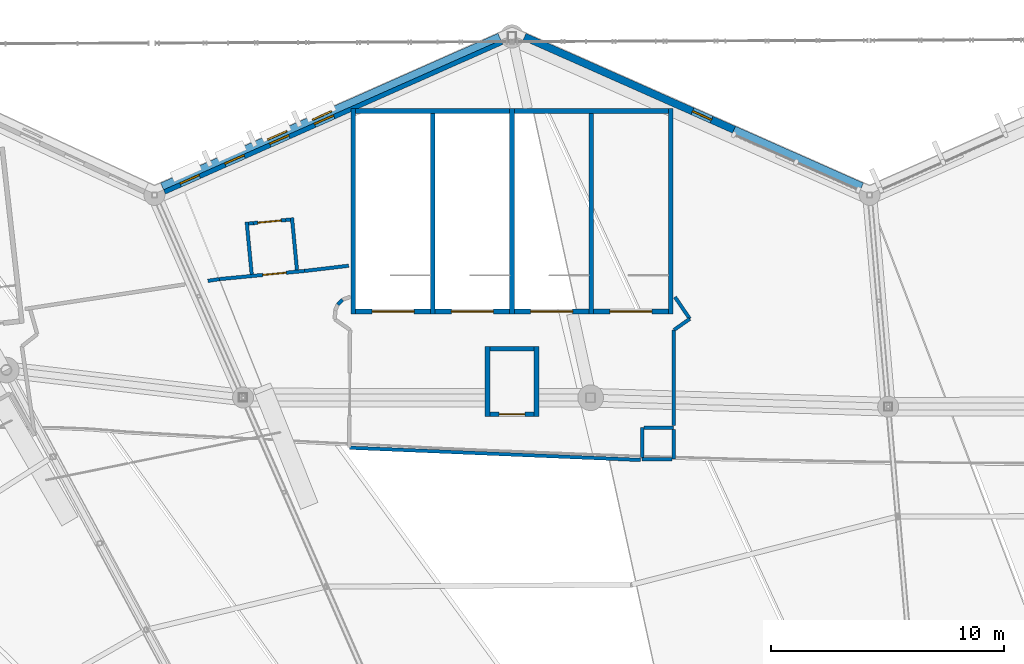
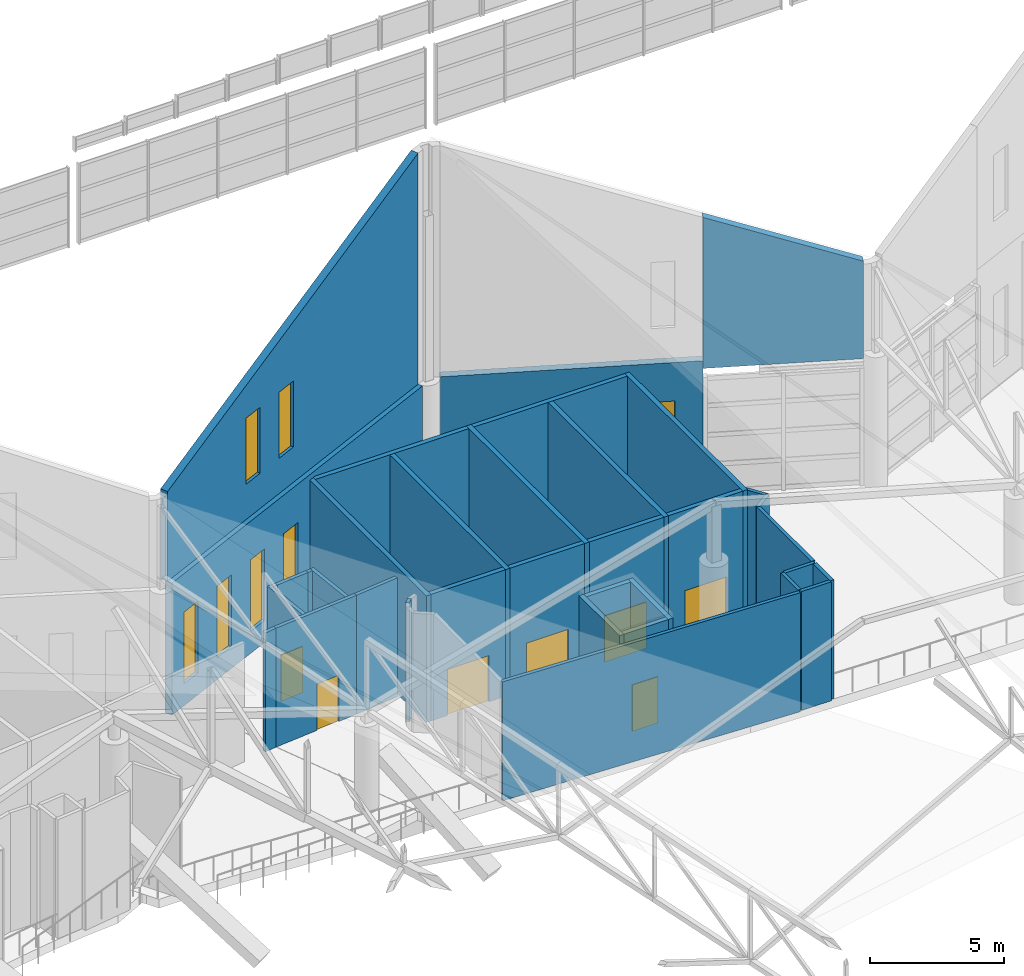
# One storey, part 266 of 344: 36 walls, 7 doors, 7 windows, 14 openings.
"""IFC4 building model written with IfcOpenShell, lengths in metres."""

from ifc_helpers import new_model, si_unit, direction, frame, frame_2d, origin, place, context, subcontext, project, spatial, polyline, rectangle, outline, extrude, material, layer, layer_set, type_object, element, fill, save


model = new_model("IFC4")

# Units and contexts
model_context = context("Model", 3, precision=1e-05, world=origin(), true_north=direction((0.0, 1.0)))
body_context = subcontext(model_context, "Body", "Model", "MODEL_VIEW")
ifc_project = project(units=[si_unit("LENGTHUNIT", "METRE"), si_unit("AREAUNIT", "SQUARE_METRE"), si_unit("VOLUMEUNIT", "CUBIC_METRE"), si_unit("PLANEANGLEUNIT", "RADIAN"), si_unit("MASSUNIT", "GRAM", prefix="KILO")], contexts=[model_context])

# Site, building, storey
site_placement = place(None, origin())
site = spatial("IfcSite", under=ifc_project, at=site_placement, CompositionType="ELEMENT")
building_placement = place(site_placement, origin())
building = spatial("IfcBuilding", under=site, at=building_placement, Name="Meseta Stadium", CompositionType="ELEMENT")
storey_placement = place(building_placement, frame((0.0, 0.0, 24.0)))
storey = spatial("IfcBuildingStorey", under=building, at=storey_placement, Name="L04", CompositionType="ELEMENT", Elevation=24.0)

# Walls
ifc_material_1 = material(Name="Concrete C40/50", Category="concrete")
ifc_layer_1 = layer(ifc_material_1, 0.199951171875)
ifc_layer_set_1 = layer_set([ifc_layer_1], Name="Core divider wall 200")
wall_type_1 = type_object("IfcWallType", Name="Core divider wall 200", PredefinedType="SHEAR", material=ifc_layer_set_1)
for number, where, z_axis, x_axis, name in (
    (1, (-19.60009765625, 102.300048828125, 0.0), (0.0, 0.0, 1.0), (0.0, -1.0, 0.0), "Core 11 L04 stair A divider wall"),
    (2, (-26.39990234375, 102.300048828125, 0.0), (0.0, 0.0, 1.0), (0.0, -1.0, 0.0), "Core 11 L04 stair B divider wall"),
):
    element("IfcWall", number, at=place(storey_placement, frame(where, z_axis=z_axis, x_axis=x_axis)), inside=storey, type_object=wall_type_1, Name=name, PredefinedType="SHEAR", context=body_context, shape_type="SweptSolid", body=[
        extrude(rectangle(XDim=8.800048828125, YDim=0.199951171875, at=frame_2d((4.39990234375, 0.0))), origin(), (0.0, 0.0, 1.0), 5.75),
    ])
ifc_material_2 = material(Name="Concrete C40/50", Category="concrete")
ifc_layer_2 = layer(ifc_material_2, 0.199951171875)
ifc_layer_set_2 = layer_set([ifc_layer_2], Name="Core shaft wall 200")
wall_type_2 = type_object("IfcWallType", Name="Core shaft wall 200", PredefinedType="SHEAR", material=ifc_layer_set_2)
for number, where, z_axis, x_axis, name in (
    (3, (-16.199951171875, 102.300048828125, 0.0), (0.0, 0.0, 1.0), (0.0, -1.0, 0.0), "Core 11 L04 stair wall A-side"),
    (4, (-23.0, 102.300048828125, 0.0), (0.0, 0.0, 1.0), (0.0, -1.0, 0.0), "Core 11 L04 stair wall shared"),
    (5, (-29.800048828125, 102.300048828125, 0.0), (0.0, 0.0, 1.0), (0.0, -1.0, 0.0), "Core 11 L04 stair wall B-side"),
):
    element("IfcWall", number, at=place(storey_placement, frame(where, z_axis=z_axis, x_axis=x_axis)), inside=storey, type_object=wall_type_2, Name=name, PredefinedType="SHEAR", context=body_context, shape_type="SweptSolid", body=[
        extrude(rectangle(XDim=8.800048828125, YDim=0.199951171875, at=frame_2d((4.39990234375, 0.0))), origin(), (0.0, 0.0, 1.0), 5.75),
    ])
for number, where, z_axis, x_axis, name in (
    (6, (-16.300048828125, 102.199951171875, 0.0), (0.0, 0.0, 1.0), (-1.0, 0.0, 0.0), "Core 11 L04 stair A outer end wall"),
    (7, (-23.10009765625, 102.199951171875, 0.0), (0.0, 0.0, 1.0), (-1.0, 0.0, 0.0), "Core 11 L04 stair B outer end wall"),
):
    element("IfcWall", number, at=place(storey_placement, frame(where, z_axis=z_axis, x_axis=x_axis)), inside=storey, type_object=wall_type_2, Name=name, PredefinedType="SHEAR", context=body_context, shape_type="SweptSolid", body=[
        extrude(rectangle(XDim=6.599853515625, YDim=0.199951171875, at=frame_2d((3.2998046875, 0.0))), origin(), (0.0, 0.0, 1.0), 5.75),
    ])

# Wall, opening, door
wall_1_placement = place(storey_placement, frame((-16.300048828125, 93.60009765625, 0.0), z_axis=(0.0, 0.0, 1.0), x_axis=(-1.0, 0.0, 0.0)))
wall_1 = element("IfcWall", 8, at=wall_1_placement, inside=storey, type_object=wall_type_2, Name="Core 11 L04 stair A1 inner end wall", PredefinedType="SHEAR", context=body_context, shape_type="SweptSolid", body=[
    extrude(rectangle(XDim=3.199951171875, YDim=0.199951171875, at=frame_2d((1.60009765625, 0.0))), origin(), (0.0, 0.0, 1.0), 5.75),
])
opening_1_placement = place(wall_1_placement, frame((0.699951171875, 0.0, 0.0)))
opening_1 = element("IfcOpeningElement", 9, at=opening_1_placement, cuts=wall_1, Name="Opening D1582", PredefinedType="OPENING", context=body_context, shape_type="SweptSolid", body=[
    extrude(rectangle(XDim=1.800048828125, YDim=2.10009765625, at=frame_2d((0.89990234375, 1.050048828125))), frame((0.0, 0.10986328125, 0.0), z_axis=(0.0, -1.0, 0.0), x_axis=(1.0, 0.0, 0.0)), (0.0, 0.0, 1.0), 0.219970703125),
])
ifc_material_3 = material(Name="Steel", Category="steel")
door_type_1 = type_object("IfcDoorType", Name="Stair door 1800x2100", OperationType="DOUBLE_DOOR_SINGLE_SWING", PredefinedType="DOOR", material=ifc_material_3)
door_1_placement = place(opening_1_placement, origin())
door_1 = element("IfcDoor", 10, at=door_1_placement, inside=storey, type_object=door_type_1, Name="Stair A1 door 11 L04", OperationType="DOUBLE_DOOR_SINGLE_SWING", OverallHeight=2.10009765625, OverallWidth=1.800048828125, PredefinedType="DOOR", context=body_context, shape_type="SweptSolid", body=[
    extrude(rectangle(XDim=1.800048828125, YDim=2.10009765625, at=frame_2d((0.89990234375, 1.050048828125))), frame((0.0, 0.02490234375, 0.0), z_axis=(0.0, -1.0, 0.0), x_axis=(1.0, 0.0, 0.0)), (0.0, 0.0, 1.0), 0.050048828125),
])
fill(opening_1, door_1)

wall_2_placement = place(storey_placement, frame((-19.699951171875, 93.60009765625, 0.0), z_axis=(0.0, 0.0, 1.0), x_axis=(-1.0, 0.0, 0.0)))
wall_2 = element("IfcWall", 11, at=wall_2_placement, inside=storey, type_object=wall_type_2, Name="Core 11 L04 stair A2 inner end wall", PredefinedType="SHEAR", context=body_context, shape_type="SweptSolid", body=[
    extrude(rectangle(XDim=3.199951171875, YDim=0.199951171875, at=frame_2d((1.60009765625, 0.0))), origin(), (0.0, 0.0, 1.0), 5.75),
])
opening_2_placement = place(wall_2_placement, frame((0.699951171875, 0.0, 0.0)))
opening_2 = element("IfcOpeningElement", 12, at=opening_2_placement, cuts=wall_2, Name="Opening D1581", PredefinedType="OPENING", context=body_context, shape_type="SweptSolid", body=[
    extrude(rectangle(XDim=1.800048828125, YDim=2.10009765625, at=frame_2d((0.89990234375, 1.050048828125))), frame((0.0, 0.10986328125, 0.0), z_axis=(0.0, -1.0, 0.0), x_axis=(1.0, 0.0, 0.0)), (0.0, 0.0, 1.0), 0.219970703125),
])
door_2_placement = place(opening_2_placement, origin())
door_2 = element("IfcDoor", 13, at=door_2_placement, inside=storey, type_object=door_type_1, Name="Stair A2 door 11 L04", OperationType="DOUBLE_DOOR_SINGLE_SWING", OverallHeight=2.10009765625, OverallWidth=1.800048828125, PredefinedType="DOOR", context=body_context, shape_type="SweptSolid", body=[
    extrude(rectangle(XDim=1.800048828125, YDim=2.10009765625, at=frame_2d((0.89990234375, 1.050048828125))), frame((0.0, 0.02490234375, 0.0), z_axis=(0.0, -1.0, 0.0), x_axis=(1.0, 0.0, 0.0)), (0.0, 0.0, 1.0), 0.050048828125),
])
fill(opening_2, door_2)

wall_3_placement = place(storey_placement, frame((-23.10009765625, 93.60009765625, 0.0), z_axis=(0.0, 0.0, 1.0), x_axis=(-1.0, 0.0, 0.0)))
wall_3 = element("IfcWall", 14, at=wall_3_placement, inside=storey, type_object=wall_type_2, Name="Core 11 L04 stair B1 inner end wall", PredefinedType="SHEAR", context=body_context, shape_type="SweptSolid", body=[
    extrude(rectangle(XDim=3.199951171875, YDim=0.199951171875, at=frame_2d((1.60009765625, 0.0))), origin(), (0.0, 0.0, 1.0), 5.75),
])
opening_3_placement = place(wall_3_placement, frame((0.699951171875, 0.0, 0.0)))
opening_3 = element("IfcOpeningElement", 15, at=opening_3_placement, cuts=wall_3, Name="Opening D1580", PredefinedType="OPENING", context=body_context, shape_type="SweptSolid", body=[
    extrude(rectangle(XDim=1.800048828125, YDim=2.10009765625, at=frame_2d((0.89990234375, 1.050048828125))), frame((0.0, 0.10986328125, 0.0), z_axis=(0.0, -1.0, 0.0), x_axis=(1.0, 0.0, 0.0)), (0.0, 0.0, 1.0), 0.219970703125),
])
door_3_placement = place(opening_3_placement, origin())
door_3 = element("IfcDoor", 16, at=door_3_placement, inside=storey, type_object=door_type_1, Name="Stair B1 door 11 L04", OperationType="DOUBLE_DOOR_SINGLE_SWING", OverallHeight=2.10009765625, OverallWidth=1.800048828125, PredefinedType="DOOR", context=body_context, shape_type="SweptSolid", body=[
    extrude(rectangle(XDim=1.800048828125, YDim=2.10009765625, at=frame_2d((0.89990234375, 1.050048828125))), frame((0.0, 0.02490234375, 0.0), z_axis=(0.0, -1.0, 0.0), x_axis=(1.0, 0.0, 0.0)), (0.0, 0.0, 1.0), 0.050048828125),
])
fill(opening_3, door_3)

wall_4_placement = place(storey_placement, frame((-26.5, 93.60009765625, 0.0), z_axis=(0.0, 0.0, 1.0), x_axis=(-1.0, 0.0, 0.0)))
wall_4 = element("IfcWall", 17, at=wall_4_placement, inside=storey, type_object=wall_type_2, Name="Core 11 L04 stair B2 inner end wall", PredefinedType="SHEAR", context=body_context, shape_type="SweptSolid", body=[
    extrude(rectangle(XDim=3.199951171875, YDim=0.199951171875, at=frame_2d((1.60009765625, 0.0))), origin(), (0.0, 0.0, 1.0), 5.75),
])
opening_4_placement = place(wall_4_placement, frame((0.699951171875, 0.0, 0.0)))
opening_4 = element("IfcOpeningElement", 18, at=opening_4_placement, cuts=wall_4, Name="Opening D1579", PredefinedType="OPENING", context=body_context, shape_type="SweptSolid", body=[
    extrude(rectangle(XDim=1.800048828125, YDim=2.10009765625, at=frame_2d((0.89990234375, 1.050048828125))), frame((0.0, 0.10986328125, 0.0), z_axis=(0.0, -1.0, 0.0), x_axis=(1.0, 0.0, 0.0)), (0.0, 0.0, 1.0), 0.219970703125),
])
door_4_placement = place(opening_4_placement, origin())
door_4 = element("IfcDoor", 19, at=door_4_placement, inside=storey, type_object=door_type_1, Name="Stair B2 door 11 L04", OperationType="DOUBLE_DOOR_SINGLE_SWING", OverallHeight=2.10009765625, OverallWidth=1.800048828125, PredefinedType="DOOR", context=body_context, shape_type="SweptSolid", body=[
    extrude(rectangle(XDim=1.800048828125, YDim=2.10009765625, at=frame_2d((0.89990234375, 1.050048828125))), frame((0.0, 0.02490234375, 0.0), z_axis=(0.0, -1.0, 0.0), x_axis=(1.0, 0.0, 0.0)), (0.0, 0.0, 1.0), 0.050048828125),
])
fill(opening_4, door_4)

# Walls
for number, where, z_axis, x_axis, name in (
    (20, (-21.949951171875, 92.10009765625, 0.0), (0.0, 0.0, 1.0), (0.0, -1.0, 0.0), "Core 11 L04 lift shaft wall left"),
    (21, (-24.050048828125, 92.10009765625, 0.0), (0.0, 0.0, 1.0), (0.0, -1.0, 0.0), "Core 11 L04 lift shaft wall right"),
):
    element("IfcWall", number, at=place(storey_placement, frame(where, z_axis=z_axis, x_axis=x_axis)), inside=storey, type_object=wall_type_2, Name=name, PredefinedType="SHEAR", context=body_context, shape_type="SweptSolid", body=[
        extrude(rectangle(XDim=3.0, YDim=0.199951171875, at=frame_2d((1.5, 0.0))), origin(), (0.0, 0.0, 1.0), 4.60009765625),
    ])
wall_5_placement = place(storey_placement, frame((-22.050048828125, 92.0, 0.0), z_axis=(0.0, 0.0, 1.0), x_axis=(-1.0, 0.0, 0.0)))
element("IfcWall", 22, at=wall_5_placement, inside=storey, type_object=wall_type_2, Name="Core 11 L04 lift shaft back wall", PredefinedType="SHEAR", context=body_context, shape_type="SweptSolid", body=[
    extrude(rectangle(XDim=1.89990234375, YDim=0.199951171875, at=frame_2d((0.949951171875, 0.0))), origin(), (0.0, 0.0, 1.0), 4.60009765625),
])

# Wall, opening, door
wall_6_placement = place(storey_placement, frame((-22.050048828125, 89.199951171875, 0.0), z_axis=(0.0, 0.0, 1.0), x_axis=(-1.0, 0.0, 0.0)))
wall_6 = element("IfcWall", 23, at=wall_6_placement, inside=storey, type_object=wall_type_2, Name="Core 11 L04 lift shaft front wall", PredefinedType="SHEAR", context=body_context, shape_type="SweptSolid", body=[
    extrude(rectangle(XDim=1.89990234375, YDim=0.199951171875, at=frame_2d((0.949951171875, 0.0))), origin(), (0.0, 0.0, 1.0), 4.60009765625),
])
opening_5_placement = place(wall_6_placement, frame((0.39990234375, 0.0, 0.0)))
opening_5 = element("IfcOpeningElement", 24, at=opening_5_placement, cuts=wall_6, Name="Opening LD62", PredefinedType="OPENING", context=body_context, shape_type="SweptSolid", body=[
    extrude(rectangle(XDim=1.10009765625, YDim=2.10009765625, at=frame_2d((0.550048828125, 1.050048828125))), frame((0.0, 0.10986328125, 0.0), z_axis=(0.0, -1.0, 0.0), x_axis=(1.0, 0.0, 0.0)), (0.0, 0.0, 1.0), 0.219970703125),
])
ifc_material_4 = material(Name="Steel", Category="steel")
door_type_2 = type_object("IfcDoorType", Name="Lift landing door 1100x2100", OperationType="SLIDING_TO_LEFT", PredefinedType="DOOR", material=ifc_material_4)
door_5_placement = place(opening_5_placement, origin())
door_5 = element("IfcDoor", 25, at=door_5_placement, inside=storey, type_object=door_type_2, Name="Lift landing door LD62", OperationType="SLIDING_TO_RIGHT", OverallHeight=2.10009765625, OverallWidth=1.10009765625, PredefinedType="DOOR", context=body_context, shape_type="SweptSolid", body=[
    extrude(rectangle(XDim=1.10009765625, YDim=2.10009765625, at=frame_2d((0.550048828125, 1.050048828125))), frame((0.0, 0.02490234375, 0.0), z_axis=(0.0, -1.0, 0.0), x_axis=(1.0, 0.0, 0.0)), (0.0, 0.0, 1.0), 0.050048828125),
])
fill(opening_5, door_5)

# Wall
ifc_material_5 = material(Name="Masonry blockwork", Category="masonry")
ifc_layer_3 = layer(ifc_material_5, 0.14990234375)
ifc_layer_set_3 = layer_set([ifc_layer_3], Name="Partition 150")
wall_type_3 = type_object("IfcWallType", Name="Partition 150", PredefinedType="PARTITIONING", material=ifc_layer_set_3)
wall_7_placement = place(storey_placement, frame((-30.0, 95.56298828125, 0.0), z_axis=(0.0, 0.0, 1.0), x_axis=(-0.993124293788, -0.117064670536, 0.0)))
element("IfcWall", 26, at=wall_7_placement, inside=storey, type_object=wall_type_3, Name="Partition L04 L04-cell10-1-0", PredefinedType="PARTITIONING", context=body_context, shape_type="SweptSolid", body=[
    extrude(rectangle(XDim=1.902099609375, YDim=0.14990234375, at=frame_2d((0.951171875, 0.0))), origin(), (0.0, 0.0, 1.0), 5.39990234375),
])

# Wall, opening, door
wall_8_placement = place(storey_placement, frame((-31.888916015625, 95.34033203125, 0.0), z_axis=(0.0, 0.0, 1.0), x_axis=(-0.995436828667, -0.095422849118, 0.0)))
wall_8 = element("IfcWall", 27, at=wall_8_placement, inside=storey, type_object=wall_type_3, Name="Partition L04 L04-cell10-1-0", PredefinedType="PARTITIONING", context=body_context, shape_type="SweptSolid", body=[
    extrude(rectangle(XDim=3.67919921875, YDim=0.14990234375, at=frame_2d((1.839599609375, 0.0))), origin(), (0.0, 0.0, 1.0), 5.39990234375),
])
opening_6_placement = place(wall_8_placement, frame((0.800048828125, 0.0, 0.0)))
opening_6 = element("IfcOpeningElement", 28, at=opening_6_placement, cuts=wall_8, Name="Opening D1577", PredefinedType="OPENING", context=body_context, shape_type="SweptSolid", body=[
    extrude(rectangle(XDim=1.0, YDim=2.10009765625, at=frame_2d((0.5, 1.050048828125))), frame((0.0, 0.0849609375, 0.0), z_axis=(0.0, -1.0, 0.0), x_axis=(1.0, 0.0, 0.0)), (0.0, 0.0, 1.0), 0.169921875),
])
ifc_material_6 = material(Name="Steel", Category="steel")
door_type_3 = type_object("IfcDoorType", Name="Fire door 1000x2100 EI2 60", OperationType="NOTDEFINED", PredefinedType="DOOR", material=ifc_material_6)
door_6_placement = place(opening_6_placement, origin())
door_6 = element("IfcDoor", 29, at=door_6_placement, inside=storey, type_object=door_type_3, Name="Room door L04 L04-cell10-1-0", OperationType="SINGLE_SWING_LEFT", OverallHeight=2.10009765625, OverallWidth=1.0, PredefinedType="DOOR", context=body_context, shape_type="SweptSolid", body=[
    extrude(rectangle(XDim=1.0, YDim=2.10009765625, at=frame_2d((0.5, 1.050048828125))), frame((0.0, 0.02490234375, 0.0), z_axis=(0.0, -1.0, 0.0), x_axis=(1.0, 0.0, 0.0)), (0.0, 0.0, 1.0), 0.050048828125),
])
fill(opening_6, door_6)

# Walls
wall_9_placement = place(storey_placement, frame((-35.55126953125, 94.9892578125, 0.0), z_axis=(0.0, 0.0, 1.0), x_axis=(-0.988428563691, -0.151687093979, 0.0)))
element("IfcWall", 30, at=wall_9_placement, inside=storey, type_object=wall_type_3, Name="Partition L04 L04-cell10-1-0", PredefinedType="PARTITIONING", context=body_context, shape_type="SweptSolid", body=[
    extrude(rectangle(XDim=0.49560546875, YDim=0.14990234375, at=frame_2d((0.247802734375, 0.0))), origin(), (0.0, 0.0, 1.0), 5.39990234375),
])
wall_10_placement = place(storey_placement, frame((-16.074951171875, 88.625, 0.0), z_axis=(0.0, 0.0, 1.0), x_axis=(-1.0, 0.0, 0.0)))
element("IfcWall", 31, at=wall_10_placement, inside=storey, type_object=wall_type_3, Name="Pressurisation shaft wall L04 core 11", PredefinedType="PARTITIONING", context=body_context, shape_type="SweptSolid", body=[
    extrude(rectangle(XDim=1.275146484375, YDim=0.14990234375, at=frame_2d((0.6376953125, 0.0))), origin(), (0.0, 0.0, 1.0), 5.39990234375),
])
wall_11_placement = place(storey_placement, frame((-17.425048828125, 88.625, 0.0), z_axis=(0.0, 0.0, 1.0), x_axis=(0.0, -1.0, 0.0)))
element("IfcWall", 32, at=wall_11_placement, inside=storey, type_object=wall_type_3, Name="Pressurisation shaft wall L04 core 11", PredefinedType="PARTITIONING", context=body_context, shape_type="SweptSolid", body=[
    extrude(rectangle(XDim=1.27490234375, YDim=0.14990234375, at=frame_2d((0.637451171875, 0.0))), origin(), (0.0, 0.0, 1.0), 5.39990234375),
])
for number, where, z_axis, x_axis, name in (
    (33, (-17.425048828125, 87.27490234375, 0.0), (0.0, 0.0, 1.0), (1.0, 0.0, 0.0), "Pressurisation shaft wall L04 core 11"),
    (34, (-16.074951171875, 87.27490234375, 0.0), (0.0, 0.0, 1.0), (0.0, 1.0, 0.0), "Pressurisation shaft wall L04 core 11"),
):
    element("IfcWall", number, at=place(storey_placement, frame(where, z_axis=z_axis, x_axis=x_axis)), inside=storey, type_object=wall_type_3, Name=name, PredefinedType="PARTITIONING", context=body_context, shape_type="SweptSolid", body=[
        extrude(rectangle(XDim=1.275146484375, YDim=0.14990234375, at=frame_2d((0.6376953125, 0.0))), origin(), (0.0, 0.0, 1.0), 5.39990234375),
    ])
wall_12_placement = place(storey_placement, frame((-30.2724609375, 94.10498046875, 0.0), z_axis=(0.0, 0.0, 1.0), x_axis=(-0.707534941396, -0.706678361564, 0.0)))
element("IfcWall", 35, at=wall_12_placement, inside=storey, type_object=wall_type_3, Name="Stair vestibule wall L04 core 11", PredefinedType="PARTITIONING", context=body_context, shape_type="SweptSolid", body=[
    extrude(rectangle(XDim=0.284912109375, YDim=0.14990234375, at=frame_2d((0.142578125, 0.0))), origin(), (0.0, 0.0, 1.0), 5.39990234375),
])
wall_13_placement = place(storey_placement, frame((-29.975341796875, 87.760498046875, 0.0), z_axis=(0.0, 0.0, 1.0), x_axis=(0.999118137172, -0.041987474002, 0.0)))
element("IfcWall", 36, at=wall_13_placement, inside=storey, type_object=wall_type_3, Name="Stair vestibule wall L04 core 11", PredefinedType="PARTITIONING", context=body_context, shape_type="SweptSolid", body=[
    extrude(rectangle(XDim=12.48974609375, YDim=0.14990234375, at=frame_2d((6.244873046875, 0.0))), origin(), (0.0, 0.0, 1.0), 5.39990234375),
])
wall_14_placement = place(storey_placement, frame((-16.054931640625, 88.7099609375, 0.0), z_axis=(0.0, 0.0, 1.0), x_axis=(0.0, 1.0, 0.0)))
element("IfcWall", 37, at=wall_14_placement, inside=storey, type_object=wall_type_3, Name="Stair vestibule wall L04 core 11", PredefinedType="PARTITIONING", context=body_context, shape_type="SweptSolid", body=[
    extrude(rectangle(XDim=4.099365234375, YDim=0.14990234375, at=frame_2d((2.0498046875, 0.0))), origin(), (0.0, 0.0, 1.0), 5.39990234375),
])
wall_15_placement = place(storey_placement, frame((-16.054931640625, 92.809326171875, 0.0), z_axis=(0.0, 0.0, 1.0), x_axis=(0.81774999294, 0.575573582652, 0.0)))
element("IfcWall", 38, at=wall_15_placement, inside=storey, type_object=wall_type_3, Name="Stair vestibule wall L04 core 11", PredefinedType="PARTITIONING", context=body_context, shape_type="SweptSolid", body=[
    extrude(rectangle(XDim=0.82958984375, YDim=0.14990234375, at=frame_2d((0.414794921875, 0.0))), origin(), (0.0, 0.0, 1.0), 5.39990234375),
])
wall_16_placement = place(storey_placement, frame((-15.37646484375, 93.286865234375, 0.0), z_axis=(0.0, 0.0, 1.0), x_axis=(-0.562120553728, 0.827055308354, 0.0)))
element("IfcWall", 39, at=wall_16_placement, inside=storey, type_object=wall_type_3, Name="Stair vestibule wall L04 core 11", PredefinedType="PARTITIONING", context=body_context, shape_type="SweptSolid", body=[
    extrude(rectangle(XDim=1.1279296875, YDim=0.14990234375, at=frame_2d((0.56396484375, 0.0))), origin(), (0.0, 0.0, 1.0), 5.39990234375),
])
for number, where, z_axis, x_axis, name in (
    (40, (-32.2197265625, 95.384033203125, 0.0), (0.0, 0.0, 1.0), (-0.095377457622, 0.995441178864, 0.0), "Partition L04 L04-cell10-1-0 vestibule"),
    (41, (-34.160888671875, 95.197998046875, 0.0), (0.0, 0.0, 1.0), (-0.095377457622, 0.995441178864, 0.0), "Partition L04 L04-cell10-1-0 vestibule"),
):
    element("IfcWall", number, at=place(storey_placement, frame(where, z_axis=z_axis, x_axis=x_axis)), inside=storey, type_object=wall_type_3, Name=name, PredefinedType="PARTITIONING", context=body_context, shape_type="SweptSolid", body=[
        extrude(rectangle(XDim=2.25, YDim=0.14990234375, at=frame_2d((1.125, 0.0))), origin(), (0.0, 0.0, 1.0), 5.39990234375),
    ])
wall_17_placement = place(storey_placement, frame((-32.501953125, 97.5419921875, 0.0), z_axis=(0.0, 0.0, 1.0), x_axis=(-0.995451449832, -0.095270200107, 0.0)))
element("IfcWall", 42, at=wall_17_placement, inside=storey, type_object=wall_type_3, Name="Partition L04 L04-cell10-1-0 vestibule", PredefinedType="PARTITIONING", context=body_context, shape_type="SweptSolid", body=[
    extrude(rectangle(XDim=0.199951171875, YDim=0.14990234375, at=frame_2d((0.10009765625, 0.0))), origin(), (0.0, 0.0, 1.0), 5.39990234375),
])

# Wall, opening, door
wall_18_placement = place(storey_placement, frame((-32.700927734375, 97.52294921875, 0.0), z_axis=(0.0, 0.0, 1.0), x_axis=(-0.99543965186, -0.095393393407, 0.0)))
wall_18 = element("IfcWall", 43, at=wall_18_placement, inside=storey, type_object=wall_type_3, Name="Partition L04 L04-cell10-1-0 vestibule", PredefinedType="PARTITIONING", context=body_context, shape_type="SweptSolid", body=[
    extrude(rectangle(XDim=1.39990234375, YDim=0.14990234375, at=frame_2d((0.699951171875, 0.0))), origin(), (0.0, 0.0, 1.0), 5.39990234375),
])
opening_7_placement = place(wall_18_placement, frame((0.199951171875, 0.0, 0.0)))
opening_7 = element("IfcOpeningElement", 44, at=opening_7_placement, cuts=wall_18, Name="Opening D1575", PredefinedType="OPENING", context=body_context, shape_type="SweptSolid", body=[
    extrude(rectangle(XDim=1.0, YDim=2.10009765625, at=frame_2d((0.5, 1.050048828125))), frame((0.0, 0.0849609375, 0.0), z_axis=(0.0, -1.0, 0.0), x_axis=(1.0, 0.0, 0.0)), (0.0, 0.0, 1.0), 0.169921875),
])
door_7_placement = place(opening_7_placement, origin())
door_7 = element("IfcDoor", 45, at=door_7_placement, inside=storey, type_object=door_type_3, Name="Vestibule door L04 L04-cell10-1-0", OperationType="SINGLE_SWING_LEFT", OverallHeight=2.10009765625, OverallWidth=1.0, PredefinedType="DOOR", context=body_context, shape_type="SweptSolid", body=[
    extrude(rectangle(XDim=1.0, YDim=2.10009765625, at=frame_2d((0.5, 1.050048828125))), frame((0.0, 0.02490234375, 0.0), z_axis=(0.0, -1.0, 0.0), x_axis=(1.0, 0.0, 0.0)), (0.0, 0.0, 1.0), 0.050048828125),
])
fill(opening_7, door_7)

# Walls
wall_19_placement = place(storey_placement, frame((-34.094482421875, 97.389404296875, 0.0), z_axis=(0.0, 0.0, 1.0), x_axis=(-0.995346240255, -0.096363177672, 0.0)))
element("IfcWall", 46, at=wall_19_placement, inside=storey, type_object=wall_type_3, Name="Partition L04 L04-cell10-1-0 vestibule", PredefinedType="PARTITIONING", context=body_context, shape_type="SweptSolid", body=[
    extrude(rectangle(XDim=0.2001953125, YDim=0.14990234375, at=frame_2d((0.10009765625, 0.0))), origin(), (0.0, 0.0, 1.0), 5.39990234375),
])
ifc_material_7 = material(Name="White precast concrete C40/50", Category="concrete")
ifc_layer_4 = layer(ifc_material_7, 0.320068359375)
ifc_layer_set_4 = layer_set([ifc_layer_4], Name="Pleated fascia panel 320 raked")
wall_type_4 = type_object("IfcWallType", Name="Pleated fascia panel 320 raked", PredefinedType="SOLIDWALL", material=ifc_layer_set_4)
wall_20_placement = place(storey_placement, frame((-13.4814453125, 101.3974609375, 5.64990234375), z_axis=(0.0, 0.0, 1.0), x_axis=(0.914141799863, -0.405394585242, 0.0)))
element("IfcWall", 47, at=wall_20_placement, inside=storey, type_object=wall_type_4, Name="Pleated facade panel above atrium F19", PredefinedType="SOLIDWALL", context=body_context, shape_type="SweptSolid", body=[
    extrude(outline(polyline([(0.0, 0.0), (6.0, 0.0), (6.0, 4.42236328125), (0.0, 6.854736328125), (0.0, 0.0)])), frame((0.0, 0.16015625, 0.0), z_axis=(0.0, -1.0, 0.0), x_axis=(1.0, 0.0, 0.0)), (0.0, 0.0, 1.0), 0.320068359375),
])

# Wall, openings, windows
wall_21_placement = place(storey_placement, frame((-38.00341796875, 98.965087890625, 6.0), z_axis=(0.0, 0.0, 1.0), x_axis=(0.914136361455, 0.405406848322, 0.0)))
wall_21 = element("IfcWall", 48, at=wall_21_placement, inside=storey, type_object=wall_type_4, Name="Pleated fascia panel L04 F20", PredefinedType="SOLIDWALL", context=body_context, shape_type="SweptSolid", body=[
    extrude(outline(polyline([(0.0, 0.0), (15.82421875, 0.0), (15.824462890625, 10.487548828125), (0.0, 4.072265625), (0.0, 0.0)])), frame((0.0, 0.16015625, 0.0), z_axis=(0.0, -1.0, 0.0), x_axis=(1.0, 0.0, 0.0)), (0.0, 0.0, 1.0), 0.320068359375),
])
opening_8_placement = place(wall_21_placement, frame((4.950439453125, 0.0, 1.60009765625)))
opening_8 = element("IfcOpeningElement", 49, at=opening_8_placement, cuts=wall_21, Name="Opening W236", PredefinedType="OPENING", context=body_context, shape_type="SweptSolid", body=[
    extrude(rectangle(XDim=0.89990234375, YDim=3.0, at=frame_2d((0.449951171875, 1.5))), frame((0.0, 0.169921875, 0.0), z_axis=(0.0, -1.0, 0.0), x_axis=(1.0, 0.0, 0.0)), (0.0, 0.0, 1.0), 0.340087890625),
])
opening_9_placement = place(wall_21_placement, frame((7.05029296875, 0.0, 1.60009765625)))
opening_9 = element("IfcOpeningElement", 50, at=opening_9_placement, cuts=wall_21, Name="Opening W238", PredefinedType="OPENING", context=body_context, shape_type="SweptSolid", body=[
    extrude(rectangle(XDim=0.89990234375, YDim=3.0, at=frame_2d((0.449951171875, 1.5))), frame((0.0, 0.169921875, 0.0), z_axis=(0.0, -1.0, 0.0), x_axis=(1.0, 0.0, 0.0)), (0.0, 0.0, 1.0), 0.340087890625),
])
ifc_material_8 = material(Name="Aluminium", Category="aluminium")
window_type_1 = type_object("IfcWindowType", Name="Slot window 900x3000", PartitioningType="SINGLE_PANEL", PredefinedType="WINDOW", material=ifc_material_8)
window_1_placement = place(opening_8_placement, origin())
window_1 = element("IfcWindow", 51, at=window_1_placement, inside=storey, type_object=window_type_1, Name="Slot window L04 F20.3", OverallHeight=3.0, OverallWidth=0.89990234375, PartitioningType="SINGLE_PANEL", PredefinedType="WINDOW", context=body_context, shape_type="SweptSolid", body=[
    extrude(rectangle(XDim=0.89990234375, YDim=3.0, at=frame_2d((0.449951171875, 1.5))), frame((0.0, 0.030029296875, 0.0), z_axis=(0.0, -1.0, 0.0), x_axis=(1.0, 0.0, 0.0)), (0.0, 0.0, 1.0), 0.06005859375),
])
fill(opening_8, window_1)
window_2_placement = place(opening_9_placement, origin())
window_2 = element("IfcWindow", 52, at=window_2_placement, inside=storey, type_object=window_type_1, Name="Slot window L04 F20.4", OverallHeight=3.0, OverallWidth=0.89990234375, PartitioningType="SINGLE_PANEL", PredefinedType="WINDOW", context=body_context, shape_type="SweptSolid", body=[
    extrude(rectangle(XDim=0.89990234375, YDim=3.0, at=frame_2d((0.449951171875, 1.5))), frame((0.0, 0.030029296875, 0.0), z_axis=(0.0, -1.0, 0.0), x_axis=(1.0, 0.0, 0.0)), (0.0, 0.0, 1.0), 0.06005859375),
])
fill(opening_9, window_2)

# Wall, opening, window
ifc_material_9 = material(Name="White precast concrete C40/50", Category="concrete")
ifc_layer_5 = layer(ifc_material_9, 0.320068359375)
ifc_layer_set_5 = layer_set([ifc_layer_5], Name="Pleated panel wall 320")
wall_type_5 = type_object("IfcWallType", Name="Pleated panel wall 320", PredefinedType="SOLIDWALL", material=ifc_layer_set_5)
wall_22_placement = place(storey_placement, frame((-22.462158203125, 105.38037109375, 0.0), z_axis=(0.0, 0.0, 1.0), x_axis=(0.914133039962, -0.405414337745, 0.0)))
wall_22 = element("IfcWall", 53, at=wall_22_placement, inside=storey, type_object=wall_type_5, Name="Pleated facade panel L04 F19", PredefinedType="SOLIDWALL", context=body_context, shape_type="SweptSolid", body=[
    extrude(rectangle(XDim=9.82421875, YDim=0.320068359375, at=frame_2d((4.912109375, 0.0))), origin(), (0.0, 0.0, 1.0), 6.0),
])
opening_10_placement = place(wall_22_placement, frame((7.8740234375, 0.0, 1.0)))
opening_10 = element("IfcOpeningElement", 54, at=opening_10_placement, cuts=wall_22, Name="Opening W252", PredefinedType="OPENING", context=body_context, shape_type="SweptSolid", body=[
    extrude(rectangle(XDim=0.89990234375, YDim=3.25, at=frame_2d((0.449951171875, 1.625))), frame((0.0, 0.169921875, 0.0), z_axis=(0.0, -1.0, 0.0), x_axis=(1.0, 0.0, 0.0)), (0.0, 0.0, 1.0), 0.340087890625),
])
ifc_material_10 = material(Name="Aluminium", Category="aluminium")
window_type_2 = type_object("IfcWindowType", Name="Slot window 900x3250", PartitioningType="SINGLE_PANEL", PredefinedType="WINDOW", material=ifc_material_10)
window_3_placement = place(opening_10_placement, origin())
window_3 = element("IfcWindow", 55, at=window_3_placement, inside=storey, type_object=window_type_2, Name="Slot window L04 F19.4", OverallHeight=3.25, OverallWidth=0.89990234375, PartitioningType="SINGLE_PANEL", PredefinedType="WINDOW", context=body_context, shape_type="SweptSolid", body=[
    extrude(rectangle(XDim=0.89990234375, YDim=3.25, at=frame_2d((0.449951171875, 1.625))), frame((0.0, 0.030029296875, 0.0), z_axis=(0.0, -1.0, 0.0), x_axis=(1.0, 0.0, 0.0)), (0.0, 0.0, 1.0), 0.06005859375),
])
fill(opening_10, window_3)

# Wall, openings, windows
wall_23_placement = place(storey_placement, frame((-37.92236328125, 98.7822265625, 0.0), z_axis=(0.0, 0.0, 1.0), x_axis=(0.914138897099, 0.405401130748, 0.0)))
wall_23 = element("IfcWall", 56, at=wall_23_placement, inside=storey, type_object=wall_type_5, Name="Pleated facade panel L04 F20", PredefinedType="SOLIDWALL", context=body_context, shape_type="SweptSolid", body=[
    extrude(rectangle(XDim=15.824462890625, YDim=0.320068359375, at=frame_2d((7.912109375, 0.0))), origin(), (0.0, 0.0, 1.0), 6.0),
])
opening_11_placement = place(wall_23_placement, frame((0.75048828125, 0.0, 1.0)))
opening_11 = element("IfcOpeningElement", 57, at=opening_11_placement, cuts=wall_23, Name="Opening W234", PredefinedType="OPENING", context=body_context, shape_type="SweptSolid", body=[
    extrude(rectangle(XDim=0.89990234375, YDim=3.25, at=frame_2d((0.449951171875, 1.625))), frame((0.0, 0.169921875, 0.0), z_axis=(0.0, -1.0, 0.0), x_axis=(1.0, 0.0, 0.0)), (0.0, 0.0, 1.0), 0.340087890625),
])
opening_12_placement = place(wall_23_placement, frame((2.850341796875, 0.0, 1.0)))
opening_12 = element("IfcOpeningElement", 58, at=opening_12_placement, cuts=wall_23, Name="Opening W235", PredefinedType="OPENING", context=body_context, shape_type="SweptSolid", body=[
    extrude(rectangle(XDim=0.89990234375, YDim=3.25, at=frame_2d((0.449951171875, 1.625))), frame((0.0, 0.169921875, 0.0), z_axis=(0.0, -1.0, 0.0), x_axis=(1.0, 0.0, 0.0)), (0.0, 0.0, 1.0), 0.340087890625),
])
opening_13_placement = place(wall_23_placement, frame((4.950439453125, 0.0, 1.0)))
opening_13 = element("IfcOpeningElement", 59, at=opening_13_placement, cuts=wall_23, Name="Opening W237", PredefinedType="OPENING", context=body_context, shape_type="SweptSolid", body=[
    extrude(rectangle(XDim=0.89990234375, YDim=3.25, at=frame_2d((0.449951171875, 1.625))), frame((0.0, 0.169921875, 0.0), z_axis=(0.0, -1.0, 0.0), x_axis=(1.0, 0.0, 0.0)), (0.0, 0.0, 1.0), 0.340087890625),
])
opening_14_placement = place(wall_23_placement, frame((7.05029296875, 0.0, 1.0)))
opening_14 = element("IfcOpeningElement", 60, at=opening_14_placement, cuts=wall_23, Name="Opening W239", PredefinedType="OPENING", context=body_context, shape_type="SweptSolid", body=[
    extrude(rectangle(XDim=0.89990234375, YDim=3.25, at=frame_2d((0.449951171875, 1.625))), frame((0.0, 0.169921875, 0.0), z_axis=(0.0, -1.0, 0.0), x_axis=(1.0, 0.0, 0.0)), (0.0, 0.0, 1.0), 0.340087890625),
])
window_4_placement = place(opening_11_placement, origin())
window_4 = element("IfcWindow", 61, at=window_4_placement, inside=storey, type_object=window_type_2, Name="Slot window L04 F20.1", OverallHeight=3.25, OverallWidth=0.89990234375, PartitioningType="SINGLE_PANEL", PredefinedType="WINDOW", context=body_context, shape_type="SweptSolid", body=[
    extrude(rectangle(XDim=0.89990234375, YDim=3.25, at=frame_2d((0.449951171875, 1.625))), frame((0.0, 0.030029296875, 0.0), z_axis=(0.0, -1.0, 0.0), x_axis=(1.0, 0.0, 0.0)), (0.0, 0.0, 1.0), 0.06005859375),
])
fill(opening_11, window_4)
window_5_placement = place(opening_12_placement, origin())
window_5 = element("IfcWindow", 62, at=window_5_placement, inside=storey, type_object=window_type_2, Name="Slot window L04 F20.2", OverallHeight=3.25, OverallWidth=0.89990234375, PartitioningType="SINGLE_PANEL", PredefinedType="WINDOW", context=body_context, shape_type="SweptSolid", body=[
    extrude(rectangle(XDim=0.89990234375, YDim=3.25, at=frame_2d((0.449951171875, 1.625))), frame((0.0, 0.030029296875, 0.0), z_axis=(0.0, -1.0, 0.0), x_axis=(1.0, 0.0, 0.0)), (0.0, 0.0, 1.0), 0.06005859375),
])
fill(opening_12, window_5)
window_6_placement = place(opening_13_placement, origin())
window_6 = element("IfcWindow", 63, at=window_6_placement, inside=storey, type_object=window_type_2, Name="Slot window L04 F20.3", OverallHeight=3.25, OverallWidth=0.89990234375, PartitioningType="SINGLE_PANEL", PredefinedType="WINDOW", context=body_context, shape_type="SweptSolid", body=[
    extrude(rectangle(XDim=0.89990234375, YDim=3.25, at=frame_2d((0.449951171875, 1.625))), frame((0.0, 0.030029296875, 0.0), z_axis=(0.0, -1.0, 0.0), x_axis=(1.0, 0.0, 0.0)), (0.0, 0.0, 1.0), 0.06005859375),
])
fill(opening_13, window_6)
window_7_placement = place(opening_14_placement, origin())
window_7 = element("IfcWindow", 64, at=window_7_placement, inside=storey, type_object=window_type_2, Name="Slot window L04 F20.4", OverallHeight=3.25, OverallWidth=0.89990234375, PartitioningType="SINGLE_PANEL", PredefinedType="WINDOW", context=body_context, shape_type="SweptSolid", body=[
    extrude(rectangle(XDim=0.89990234375, YDim=3.25, at=frame_2d((0.449951171875, 1.625))), frame((0.0, 0.030029296875, 0.0), z_axis=(0.0, -1.0, 0.0), x_axis=(1.0, 0.0, 0.0)), (0.0, 0.0, 1.0), 0.06005859375),
])
fill(opening_14, window_7)

save(model, "model.ifc")
